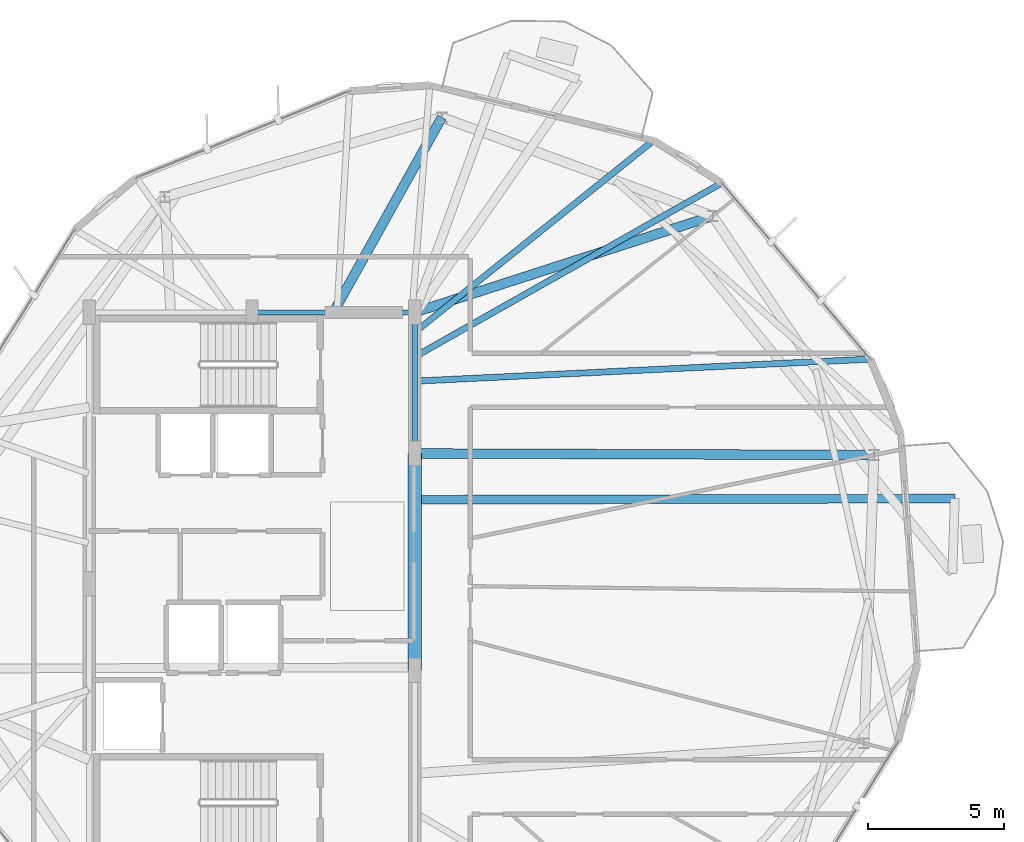
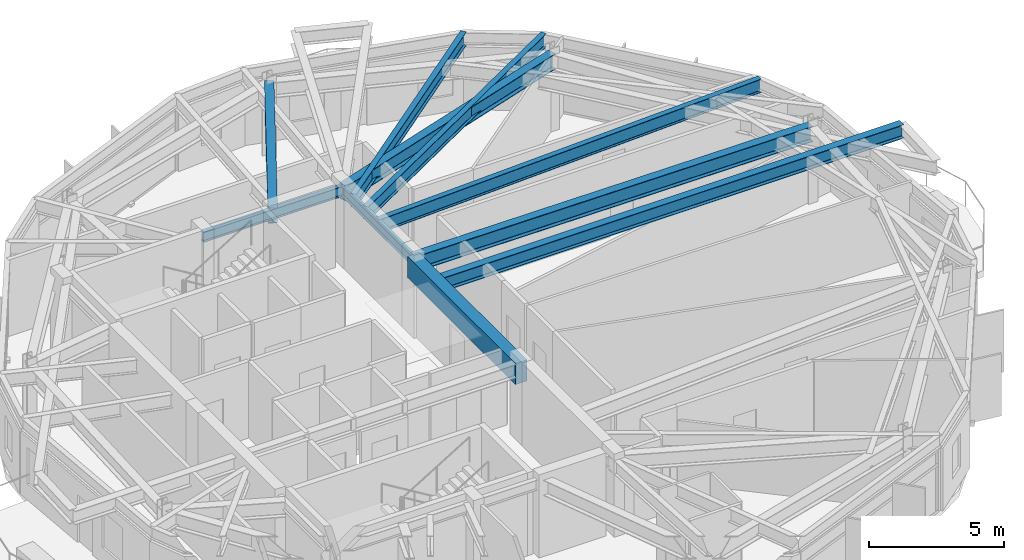
# One storey, part 11 of 26: 10 beams.
"""IFC4 building model written with IfcOpenShell, lengths in metres."""

from ifc_helpers import new_model, si_unit, direction, frame, origin, origin_2d, place, context, subcontext, project, spatial, rectangle, i_section, extrude, material, material_profile, profile_set, type_object, element, save


model = new_model("IFC4")

# Units and contexts
model_context = context("Model", 3, precision=1e-05, world=origin(), true_north=direction((0.0, 1.0)))
body_context = subcontext(model_context, "Body", "Model", "MODEL_VIEW")
ifc_project = project(units=[si_unit("LENGTHUNIT", "METRE"), si_unit("AREAUNIT", "SQUARE_METRE"), si_unit("VOLUMEUNIT", "CUBIC_METRE"), si_unit("PLANEANGLEUNIT", "RADIAN"), si_unit("MASSUNIT", "GRAM", prefix="KILO")], contexts=[model_context])

# Site, building, storey
site_placement = place(None, origin())
site = spatial("IfcSite", under=ifc_project, at=site_placement, CompositionType="ELEMENT")
building_placement = place(site_placement, origin())
building = spatial("IfcBuilding", under=site, at=building_placement, Name="Soratama Intermodal Tower", CompositionType="ELEMENT")
storey_placement = place(building_placement, frame((0.0, 0.0, 246.25)))
storey = spatial("IfcBuildingStorey", under=building, at=storey_placement, Name="L62", CompositionType="ELEMENT", Elevation=246.25)

# Beams
ifc_material_1 = material(Name="Structural steel ASTM A992 Grade 50", Category="steel")
ifc_material_profile_1 = material_profile(ifc_material_1, i_section(OverallWidth=0.324951171875, OverallDepth=0.615966796875, WebThickness=0.013916015625, FlangeThickness=0.021484375, FilletRadius=0.013916015625, at=origin_2d()), Name="W24X117")
ifc_profile_set_1 = profile_set([ifc_material_profile_1], Name="Structural steel ASTM A992 Grade 50")
beam_type_1 = type_object("IfcBeamType", Name="BM-CANT-W24X117", PredefinedType="BEAM", material=ifc_profile_set_1)
beam_1_placement = place(storey_placement, frame((44.8349609375, 28.092041015625, 3.14208984375), z_axis=(0.999997506862, 0.002232995711, 0.0), x_axis=(-0.002232995711, 0.999997506862, 0.0)))
element("IfcBeam", 1, at=beam_1_placement, inside=storey, type_object=beam_type_1, Name="BM-L62-CANT-1-2", PredefinedType="BEAM", context=body_context, shape_type="SweptSolid", body=[
    extrude(i_section(OverallWidth=0.324951171875, OverallDepth=0.615966796875, WebThickness=0.013916015625, FlangeThickness=0.021484375, FilletRadius=0.013916015625, at=origin_2d()), origin(), (0.0, 0.0, 1.0), 19.679931640625),
])
ifc_material_2 = material(Name="Concrete f'c 56 MPa", Category="concrete")
ifc_material_profile_2 = material_profile(ifc_material_2, rectangle(XDim=0.5, YDim=0.949951171875, at=origin_2d()), Name="RC500X950")
ifc_profile_set_2 = profile_set([ifc_material_profile_2], Name="Concrete f'c 56 MPa")
beam_type_2 = type_object("IfcBeamType", Name="BM-CPL-RC500X950", PredefinedType="BEAM", material=ifc_profile_set_2)
beam_2_placement = place(storey_placement, frame((44.60009765625, 21.800048828125, 2.97509765625), z_axis=(0.0, 1.0, 0.0), x_axis=(-1.0, 0.0, 0.0)))
element("IfcBeam", 2, at=beam_2_placement, inside=storey, type_object=beam_type_2, Name="L62 Core Coupling Beam East", PredefinedType="BEAM", context=body_context, shape_type="SweptSolid", body=[
    extrude(rectangle(XDim=0.5, YDim=0.949951171875, at=origin_2d()), origin(), (0.0, 0.0, 1.0), 8.0),
])
ifc_material_3 = material(Name="Structural steel ASTM A992 Grade 50", Category="steel")
ifc_material_profile_3 = material_profile(ifc_material_3, i_section(OverallWidth=0.19091796875, OverallDepth=0.4599609375, WebThickness=0.010009765625, FlangeThickness=0.01611328125, FilletRadius=0.010986328125, at=origin_2d()), Name="W18X55")
ifc_profile_set_3 = profile_set([ifc_material_profile_3], Name="Structural steel ASTM A992 Grade 50")
beam_type_3 = type_object("IfcBeamType", Name="BM-FLR-W18X55", PredefinedType="BEAM", material=ifc_profile_set_3)
beam_3_placement = place(storey_placement, frame((44.60009765625, 29.800048828125, 3.219970703125), z_axis=(0.0, 1.0, 0.0), x_axis=(-1.0, 0.0, 0.0)))
element("IfcBeam", 3, at=beam_3_placement, inside=storey, type_object=beam_type_3, Name="BM-L62-CRING-05", PredefinedType="BEAM", context=body_context, shape_type="SweptSolid", body=[
    extrude(i_section(OverallWidth=0.19091796875, OverallDepth=0.4599609375, WebThickness=0.010009765625, FlangeThickness=0.01611328125, FilletRadius=0.010986328125, at=origin_2d()), origin(), (0.0, 0.0, 1.0), 5.199951171875),
])
beam_4_placement = place(storey_placement, frame((44.60009765625, 35.0, 3.219970703125), z_axis=(-1.0, 0.0, 0.0), x_axis=(0.0, -1.0, 0.0)))
element("IfcBeam", 4, at=beam_4_placement, inside=storey, type_object=beam_type_3, Name="BM-L62-CRING-06", PredefinedType="BEAM", context=body_context, shape_type="SweptSolid", body=[
    extrude(i_section(OverallWidth=0.19091796875, OverallDepth=0.4599609375, WebThickness=0.010009765625, FlangeThickness=0.01611328125, FilletRadius=0.010986328125, at=origin_2d()), origin(), (0.0, 0.0, 1.0), 6.0),
])
ifc_material_4 = material(Name="Structural steel ASTM A992 Grade 50", Category="steel")
ifc_material_profile_4 = material_profile(ifc_material_4, i_section(OverallWidth=0.35498046875, OverallDepth=0.695068359375, WebThickness=0.015380859375, FlangeThickness=0.02490234375, FilletRadius=0.01611328125, at=origin_2d()), Name="W27X146")
ifc_profile_set_4 = profile_set([ifc_material_profile_4], Name="Structural steel ASTM A992 Grade 50")
beam_type_4 = type_object("IfcBeamType", Name="BM-RING-W27X146", PredefinedType="BEAM", material=ifc_profile_set_4)
beam_5_placement = place(storey_placement, frame((44.60009765625, 29.800048828125, 3.1025390625), z_axis=(0.999993913522, -0.003488971138, 0.0), x_axis=(0.003488971138, 0.999993913522, 0.0)))
element("IfcBeam", 5, at=beam_5_placement, inside=storey, type_object=beam_type_4, Name="BM-L62-RAD-01", PredefinedType="BEAM", context=body_context, shape_type="SweptSolid", body=[
    extrude(i_section(OverallWidth=0.35498046875, OverallDepth=0.695068359375, WebThickness=0.015380859375, FlangeThickness=0.02490234375, FilletRadius=0.01611328125, at=origin_2d()), origin(), (0.0, 0.0, 1.0), 16.933837890625),
])
beam_6_placement = place(storey_placement, frame((44.60009765625, 35.0, 3.1025390625), z_axis=(0.95147783512, 0.307717287904, 0.0), x_axis=(-0.307717287904, 0.95147783512, 0.0)))
element("IfcBeam", 6, at=beam_6_placement, inside=storey, type_object=beam_type_4, Name="BM-L62-RAD-02", PredefinedType="BEAM", context=body_context, shape_type="SweptSolid", body=[
    extrude(i_section(OverallWidth=0.35498046875, OverallDepth=0.695068359375, WebThickness=0.015380859375, FlangeThickness=0.02490234375, FilletRadius=0.01611328125, at=origin_2d()), origin(), (0.0, 0.0, 1.0), 11.54931640625),
])
beam_7_placement = place(storey_placement, frame((41.60009765625, 35.0, 3.1025390625), z_axis=(0.486161842523, 0.873868790423, 0.0), x_axis=(-0.873868790423, 0.486161842523, 0.0)))
element("IfcBeam", 7, at=beam_7_placement, inside=storey, type_object=beam_type_4, Name="BM-L62-RAD-03", PredefinedType="BEAM", context=body_context, shape_type="SweptSolid", body=[
    extrude(i_section(OverallWidth=0.35498046875, OverallDepth=0.695068359375, WebThickness=0.015380859375, FlangeThickness=0.02490234375, FilletRadius=0.01611328125, at=origin_2d()), origin(), (0.0, 0.0, 1.0), 8.227783203125),
])
ifc_material_5 = material(Name="Structural steel ASTM A992 Grade 50", Category="steel")
ifc_material_profile_5 = material_profile(ifc_material_5, i_section(OverallWidth=0.22900390625, OverallDepth=0.612060546875, WebThickness=0.011962890625, FlangeThickness=0.01953125, FilletRadius=0.012939453125, at=origin_2d()), Name="W24X84")
ifc_profile_set_5 = profile_set([ifc_material_profile_5], Name="Structural steel ASTM A992 Grade 50")
beam_type_5 = type_object("IfcBeamType", Name="BM-TIE-W24X84", PredefinedType="BEAM", material=ifc_profile_set_5)
beam_8_placement = place(storey_placement, frame((44.631103515625, 34.291015625, 3.14404296875), z_axis=(0.779663576011, 0.626198617246, 0.0), x_axis=(-0.626198617246, 0.779663576011, 0.0)))
element("IfcBeam", 8, at=beam_8_placement, inside=storey, type_object=beam_type_5, Name="BM-L62-TIE0-01", PredefinedType="BEAM", context=body_context, shape_type="SweptSolid", body=[
    extrude(i_section(OverallWidth=0.22900390625, OverallDepth=0.612060546875, WebThickness=0.011962890625, FlangeThickness=0.01953125, FilletRadius=0.012939453125, at=origin_2d()), origin(), (0.0, 0.0, 1.0), 11.258544921875),
])
beam_9_placement = place(storey_placement, frame((44.639892578125, 32.466064453125, 3.14404296875), z_axis=(0.998829515669, 0.048369397646, 0.0), x_axis=(-0.048369397646, 0.998829515669, 0.0)))
element("IfcBeam", 9, at=beam_9_placement, inside=storey, type_object=beam_type_5, Name="BM-L62-TIE0-10", PredefinedType="BEAM", context=body_context, shape_type="SweptSolid", body=[
    extrude(i_section(OverallWidth=0.22900390625, OverallDepth=0.612060546875, WebThickness=0.011962890625, FlangeThickness=0.01953125, FilletRadius=0.012939453125, at=origin_2d()), origin(), (0.0, 0.0, 1.0), 16.78759765625),
])
beam_10_placement = place(storey_placement, frame((44.635009765625, 33.383056640625, 3.14404296875), z_axis=(0.870288351969, 0.492542571182, 0.0), x_axis=(-0.492542571182, 0.870288351969, 0.0)))
element("IfcBeam", 10, at=beam_10_placement, inside=storey, type_object=beam_type_5, Name="BM-L62-TIE1-10", PredefinedType="BEAM", context=body_context, shape_type="SweptSolid", body=[
    extrude(i_section(OverallWidth=0.22900390625, OverallDepth=0.612060546875, WebThickness=0.011962890625, FlangeThickness=0.01953125, FilletRadius=0.012939453125, at=origin_2d()), origin(), (0.0, 0.0, 1.0), 12.977294921875),
])

save(model, "model.ifc")
